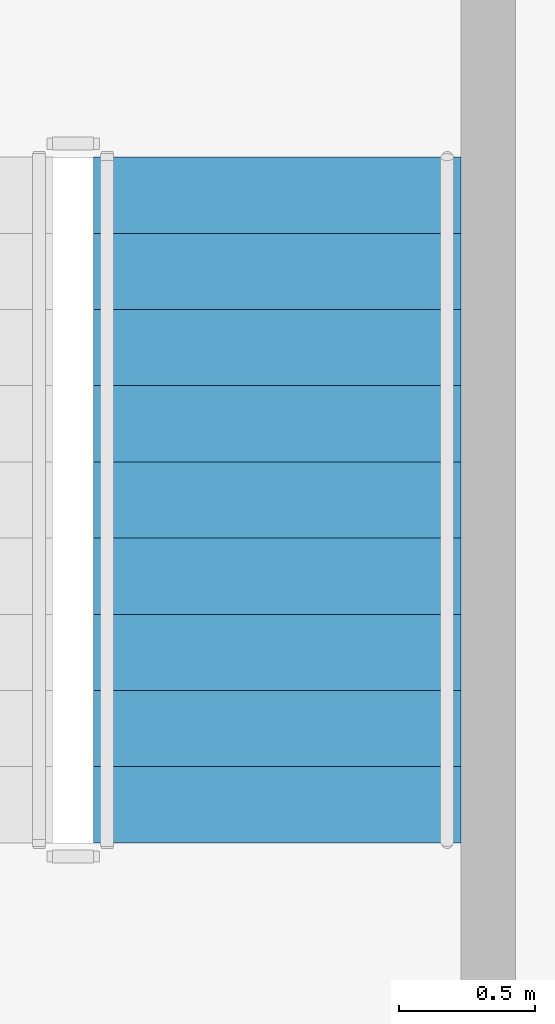
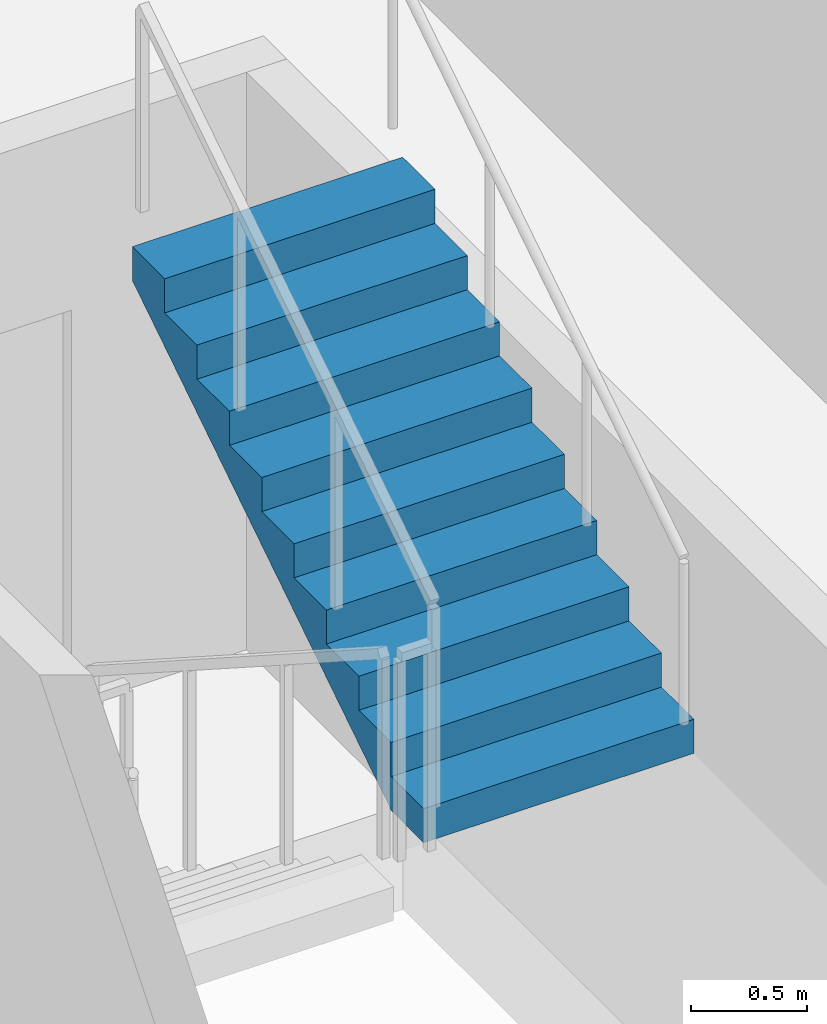
# One storey, part 13 of 17: 1 stair flight, 1 element without a shape of its own.
"""IFC4 building model written with IfcOpenShell, lengths in metres."""

from ifc_helpers import new_model, si_unit, direction, frame, origin, place, context, subcontext, project, spatial, polyline, outline, extrude, material, type_object, element, aggregate, save


model = new_model("IFC4")

# Units and contexts
model_context = context("Model", 3, precision=1e-05, world=origin(), true_north=direction((0.0, 1.0)))
body_context = subcontext(model_context, "Body", "Model", "MODEL_VIEW")
ifc_project = project(units=[si_unit("LENGTHUNIT", "METRE"), si_unit("AREAUNIT", "SQUARE_METRE"), si_unit("VOLUMEUNIT", "CUBIC_METRE"), si_unit("PLANEANGLEUNIT", "RADIAN"), si_unit("MASSUNIT", "GRAM", prefix="KILO")], contexts=[model_context])

# Site, building, storey
site_placement = place(None, origin())
site = spatial("IfcSite", under=ifc_project, at=site_placement, CompositionType="ELEMENT")
building_placement = place(site_placement, origin())
building = spatial("IfcBuilding", under=site, at=building_placement, Name="Mangrove Gate Tower", CompositionType="ELEMENT")
storey_placement = place(building_placement, frame((0.0, 0.0, 234.699951171875)))
storey = spatial("IfcBuildingStorey", under=building, at=storey_placement, Name="L59", CompositionType="ELEMENT", Elevation=234.699951171875)

# Stair, stair flight
ifc_material_1 = material(Name="Concrete C40/50", Category="concrete")
stair_type = type_object("IfcStairType", Name="Core stair 1350", PredefinedType="HALF_TURN_STAIR", material=ifc_material_1)
stair_placement = place(storey_placement, origin())
stair = element("IfcStair", 1, at=stair_placement, inside=storey, type_object=stair_type, Name="L59 Stair 3", PredefinedType="HALF_TURN_STAIR")
ifc_material_2 = material(Name="Concrete C40/50", Category="concrete")
stair_flight_type = type_object("IfcStairFlightType", Name="Core stair flight 1350", PredefinedType="STRAIGHT", material=ifc_material_2)
stair_flight_placement = place(storey_placement, frame((10.02490234375, -7.169921875, 1.800048828125), z_axis=(0.0, 0.0, 1.0), x_axis=(0.0, 1.0, 0.0)))
stair_flight = element("IfcStairFlight", 2, at=stair_flight_placement, type_object=stair_flight_type, Name="ST3 flight 2", NumberOfRisers=10, NumberOfTreads=9, PredefinedType="STRAIGHT", RiserHeight=0.18, TreadLength=0.28, context=body_context, shape_type="SweptSolid", body=[
    extrude(outline(polyline([(0.0, 0.0), (0.0, 0.179931640625), (0.280029296875, 0.179931640625), (0.280029296875, 0.360107421875), (0.56005859375, 0.360107421875), (0.56005859375, 0.5400390625), (0.840087890625, 0.5400390625), (0.840087890625, 0.719970703125), (1.1201171875, 0.719970703125), (1.1201171875, 0.89990234375), (1.39990234375, 0.89990234375), (1.39990234375, 1.080078125), (1.679931640625, 1.080078125), (1.679931640625, 1.260009765625), (1.9599609375, 1.260009765625), (1.9599609375, 1.43994140625), (2.239990234375, 1.43994140625), (2.239990234375, 1.6201171875), (2.52001953125, 1.6201171875), (2.52001953125, 1.800048828125), (2.52001953125, 1.44189453125), (0.277099609375, 0.0), (0.0, 0.0)])), frame((0.0, 0.675048828125, 0.0), z_axis=(0.0, -1.0, 0.0), x_axis=(1.0, 0.0, 0.0)), (0.0, 0.0, 1.0), 1.35009765625),
])
aggregate(stair, [stair_flight])

save(model, "model.ifc")
